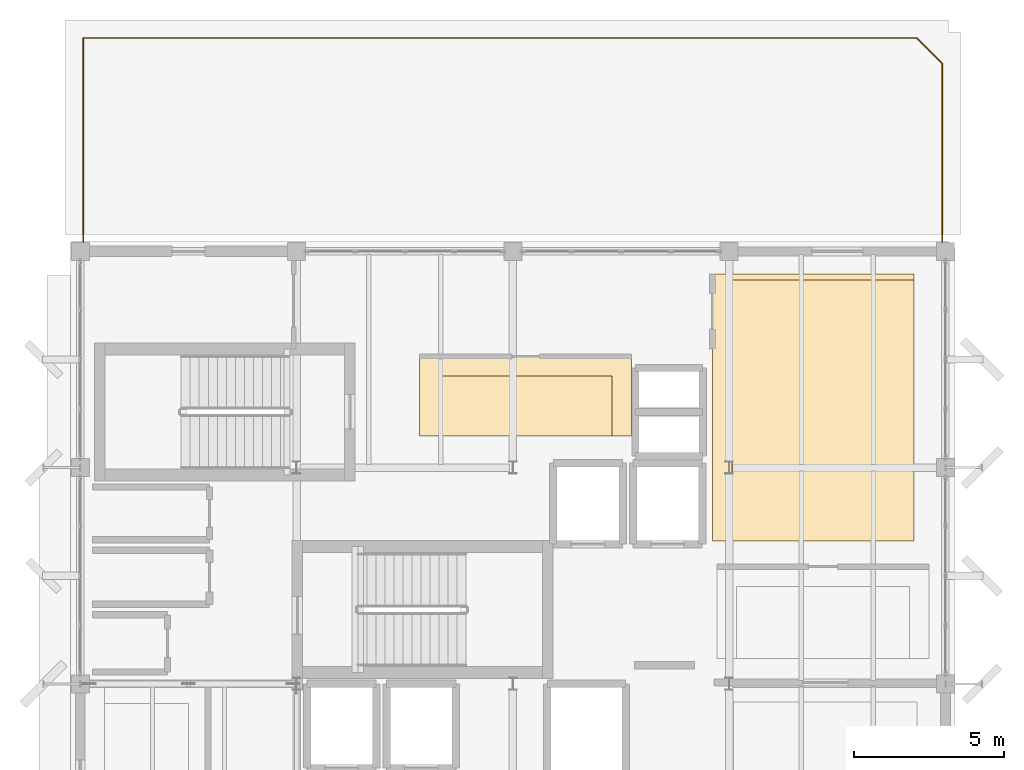
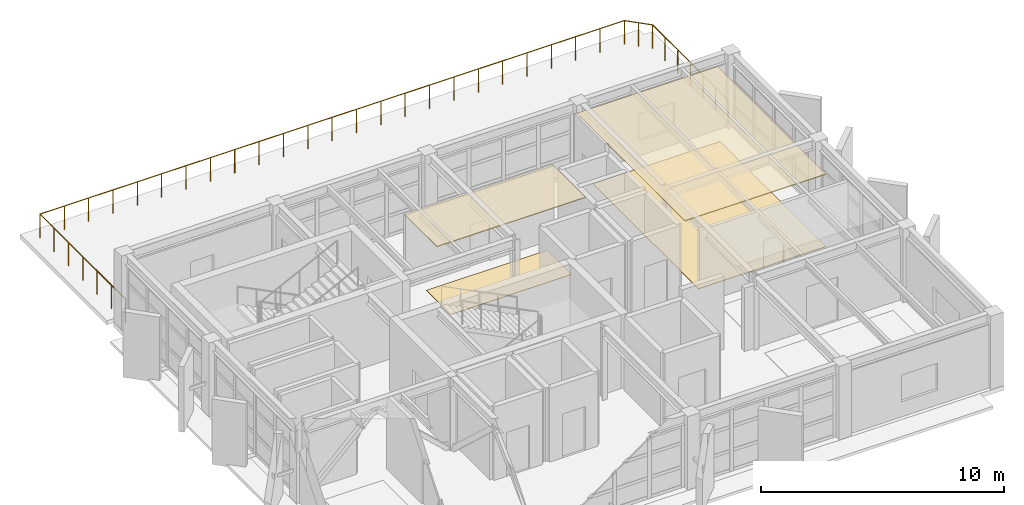
# One storey, part 16 of 16: 4 coverings, 1 railing.
"""IFC4 building model written with IfcOpenShell, lengths in metres."""

from ifc_helpers import new_model, si_unit, direction, frame, origin, origin_2d, place, context, subcontext, project, spatial, polyline, circle, outline, extrude, material, layer, layer_set, type_object, element, save


model = new_model("IFC4")

# Units and contexts
model_context = context("Model", 3, precision=1e-05, world=origin(), true_north=direction((0.0, 1.0)))
body_context = subcontext(model_context, "Body", "Model", "MODEL_VIEW")
ifc_project = project(units=[si_unit("LENGTHUNIT", "METRE"), si_unit("AREAUNIT", "SQUARE_METRE"), si_unit("VOLUMEUNIT", "CUBIC_METRE"), si_unit("PLANEANGLEUNIT", "RADIAN"), si_unit("MASSUNIT", "GRAM", prefix="KILO")], contexts=[model_context])

# Site, building, storey
site_placement = place(None, origin())
site = spatial("IfcSite", under=ifc_project, at=site_placement, CompositionType="ELEMENT")
building_placement = place(site_placement, origin())
building = spatial("IfcBuilding", under=site, at=building_placement, Name="Kandorven Conservatory and Botanical Research Centre", CompositionType="ELEMENT")
storey_placement = place(building_placement, frame((0.0, 0.0, 44.39990234375)))
storey = spatial("IfcBuildingStorey", under=building, at=storey_placement, Name="L11", CompositionType="ELEMENT", Elevation=44.39990234375)

# Coverings
ifc_material_1 = material(Name="Perforated mineral-fibre acoustic ceiling tile", Category="gypsum")
ifc_layer_1 = layer(ifc_material_1, 0.0400390625)
ifc_layer_set_1 = layer_set([ifc_layer_1], Name="Perforated mineral-fibre acoustic ceiling tile")
covering_type_1 = type_object("IfcCoveringType", Name="Cov_Ceiling_1", PredefinedType="CEILING", material=ifc_layer_set_1)
covering_1_placement = place(storey_placement, frame((0.0, 0.0, 3.630126953125)))
element("IfcCovering", 1, at=covering_1_placement, inside=storey, type_object=covering_type_1, Name="Suspended acoustic ceiling CLG-01 (Dryland Flora Research Laboratory L11)", PredefinedType="CEILING", context=body_context, shape_type="SweptSolid", body=[
    extrude(outline(polyline([(17.300048828125, 21.449951171875), (24.35009765625, 21.449951171875), (24.35009765625, 24.10009765625), (17.300048828125, 24.10009765625), (17.300048828125, 21.449951171875)])), origin(), (0.0, 0.0, 1.0), 0.0400390625),
])
covering_2_placement = place(storey_placement, frame((0.0, 0.0, 3.630126953125)))
element("IfcCovering", 2, at=covering_2_placement, inside=storey, type_object=covering_type_1, Name="Suspended acoustic ceiling CLG-01 (Botanical Paper and Specimen Conservation Laboratory L11)", PredefinedType="CEILING", context=body_context, shape_type="SweptSolid", body=[
    extrude(outline(polyline([(27.050048828125, 17.949951171875), (33.75, 17.949951171875), (33.75, 26.85009765625), (27.050048828125, 26.85009765625), (27.050048828125, 17.949951171875)])), origin(), (0.0, 0.0, 1.0), 0.0400390625),
])
ifc_material_2 = material(Name="Honed Kota stone and epoxy laboratory flooring", Category="masonry")
ifc_layer_2 = layer(ifc_material_2, 0.02490234375)
ifc_layer_set_2 = layer_set([ifc_layer_2], Name="Honed Kota stone and epoxy laboratory flooring")
covering_type_2 = type_object("IfcCoveringType", Name="Cov_Flooring_1", PredefinedType="FLOORING", material=ifc_layer_set_2)
covering_3_placement = place(storey_placement, origin())
element("IfcCovering", 3, at=covering_3_placement, inside=storey, type_object=covering_type_2, Name="Floor finish FLR-01 (Dryland Flora Research Laboratory L11)", PredefinedType="FLOORING", context=body_context, shape_type="SweptSolid", body=[
    extrude(outline(polyline([(17.949951171875, 21.449951171875), (23.699951171875, 21.449951171875), (23.699951171875, 23.449951171875), (17.949951171875, 23.449951171875), (17.949951171875, 21.449951171875)])), origin(), (0.0, 0.0, 1.0), 0.025146484375),
])
covering_4_placement = place(storey_placement, origin())
element("IfcCovering", 4, at=covering_4_placement, inside=storey, type_object=covering_type_2, Name="Floor finish FLR-01 (Botanical Paper and Specimen Conservation Laboratory L11)", PredefinedType="FLOORING", context=body_context, shape_type="SweptSolid", body=[
    extrude(outline(polyline([(27.699951171875, 17.949951171875), (33.75, 17.949951171875), (33.75, 26.64990234375), (27.699951171875, 26.64990234375), (27.699951171875, 17.949951171875)])), origin(), (0.0, 0.0, 1.0), 0.025146484375),
])

# Railing
ifc_material_3 = material(Name="Steel S355 (IS 2062 E350)", Category="steel")
railing_type = type_object("IfcRailingType", Name="Guard_Terrace", PredefinedType="BALUSTRADE", material=ifc_material_3)
railing_placement = place(storey_placement, frame((6.10009765625, 27.64990234375, 0.0)))
element("IfcRailing", 5, at=railing_placement, inside=storey, type_object=railing_type, Name="Level L11 upper refuge terrace perimeter balustrade GR-01", PredefinedType="BALUSTRADE", context=body_context, shape_type="SweptSolid", body=[
    extrude(circle(Radius=0.02392578125, at=origin_2d()), frame((0.0, 0.0, 1.17578125), z_axis=(0.0, 1.0, 0.0), x_axis=(-1.0, 0.0, 0.0)), (0.0, 0.0, 1.0), 7.050048828125),
    extrude(circle(Radius=0.02392578125, at=origin_2d()), frame((0.0, 7.050048828125, 1.17578125), z_axis=(1.0, 0.0, 0.0), x_axis=(0.0, 1.0, 0.0)), (0.0, 0.0, 1.0), 27.75),
    extrude(circle(Radius=0.02392578125, at=origin_2d()), frame((27.75, 7.050048828125, 1.17578125), z_axis=(0.707106781187, -0.707106781187, 0.0), x_axis=(0.707106781187, 0.707106781187, 0.0)), (0.0, 0.0, 1.0), 1.201904296875),
    extrude(circle(Radius=0.02392578125, at=origin_2d()), frame((28.599853515625, 6.2001953125, 1.17578125), z_axis=(0.0, -1.0, 0.0), x_axis=(1.0, 0.0, 0.0)), (0.0, 0.0, 1.0), 6.2001953125),
    extrude(circle(Radius=0.02099609375, at=origin_2d()), origin(), (0.0, 0.0, 1.0), 1.15185546875),
    extrude(circle(Radius=0.02099609375, at=origin_2d()), frame((0.0, 1.175048828125, 0.0)), (0.0, 0.0, 1.0), 1.15185546875),
    extrude(circle(Radius=0.02099609375, at=origin_2d()), frame((0.0, 2.35009765625, 0.0)), (0.0, 0.0, 1.0), 1.15185546875),
    extrude(circle(Radius=0.02099609375, at=origin_2d()), frame((0.0, 3.52490234375, 0.0)), (0.0, 0.0, 1.0), 1.15185546875),
    extrude(circle(Radius=0.02099609375, at=origin_2d()), frame((0.0, 4.699951171875, 0.0)), (0.0, 0.0, 1.0), 1.15185546875),
    extrude(circle(Radius=0.02099609375, at=origin_2d()), frame((0.0, 5.875, 0.0)), (0.0, 0.0, 1.0), 1.15185546875),
    extrude(circle(Radius=0.02099609375, at=origin_2d()), frame((0.0, 7.050048828125, 0.0)), (0.0, 0.0, 1.0), 1.15185546875),
    extrude(circle(Radius=0.02099609375, at=origin_2d()), frame((1.15625, 7.050048828125, 0.0)), (0.0, 0.0, 1.0), 1.15185546875),
    extrude(circle(Radius=0.02099609375, at=origin_2d()), frame((2.3125, 7.050048828125, 0.0)), (0.0, 0.0, 1.0), 1.15185546875),
    extrude(circle(Radius=0.02099609375, at=origin_2d()), frame((3.46875, 7.050048828125, 0.0)), (0.0, 0.0, 1.0), 1.15185546875),
    extrude(circle(Radius=0.02099609375, at=origin_2d()), frame((4.625, 7.050048828125, 0.0)), (0.0, 0.0, 1.0), 1.15185546875),
    extrude(circle(Radius=0.02099609375, at=origin_2d()), frame((5.78125, 7.050048828125, 0.0)), (0.0, 0.0, 1.0), 1.15185546875),
    extrude(circle(Radius=0.02099609375, at=origin_2d()), frame((6.9375, 7.050048828125, 0.0)), (0.0, 0.0, 1.0), 1.15185546875),
    extrude(circle(Radius=0.02099609375, at=origin_2d()), frame((8.09375, 7.050048828125, 0.0)), (0.0, 0.0, 1.0), 1.15185546875),
    extrude(circle(Radius=0.02099609375, at=origin_2d()), frame((9.25, 7.050048828125, 0.0)), (0.0, 0.0, 1.0), 1.15185546875),
    extrude(circle(Radius=0.02099609375, at=origin_2d()), frame((10.40625, 7.050048828125, 0.0)), (0.0, 0.0, 1.0), 1.15185546875),
    extrude(circle(Radius=0.02099609375, at=origin_2d()), frame((11.5625, 7.050048828125, 0.0)), (0.0, 0.0, 1.0), 1.15185546875),
    extrude(circle(Radius=0.02099609375, at=origin_2d()), frame((12.71875, 7.050048828125, 0.0)), (0.0, 0.0, 1.0), 1.15185546875),
    extrude(circle(Radius=0.02099609375, at=origin_2d()), frame((13.875, 7.050048828125, 0.0)), (0.0, 0.0, 1.0), 1.15185546875),
    extrude(circle(Radius=0.02099609375, at=origin_2d()), frame((15.03125, 7.050048828125, 0.0)), (0.0, 0.0, 1.0), 1.15185546875),
    extrude(circle(Radius=0.02099609375, at=origin_2d()), frame((16.1875, 7.050048828125, 0.0)), (0.0, 0.0, 1.0), 1.15185546875),
    extrude(circle(Radius=0.02099609375, at=origin_2d()), frame((17.34375, 7.050048828125, 0.0)), (0.0, 0.0, 1.0), 1.15185546875),
    extrude(circle(Radius=0.02099609375, at=origin_2d()), frame((18.5, 7.050048828125, 0.0)), (0.0, 0.0, 1.0), 1.15185546875),
    extrude(circle(Radius=0.02099609375, at=origin_2d()), frame((19.65625, 7.050048828125, 0.0)), (0.0, 0.0, 1.0), 1.15185546875),
    extrude(circle(Radius=0.02099609375, at=origin_2d()), frame((20.8125, 7.050048828125, 0.0)), (0.0, 0.0, 1.0), 1.15185546875),
    extrude(circle(Radius=0.02099609375, at=origin_2d()), frame((21.96875, 7.050048828125, 0.0)), (0.0, 0.0, 1.0), 1.15185546875),
    extrude(circle(Radius=0.02099609375, at=origin_2d()), frame((23.125, 7.050048828125, 0.0)), (0.0, 0.0, 1.0), 1.15185546875),
    extrude(circle(Radius=0.02099609375, at=origin_2d()), frame((24.28125, 7.050048828125, 0.0)), (0.0, 0.0, 1.0), 1.15185546875),
    extrude(circle(Radius=0.02099609375, at=origin_2d()), frame((25.4375, 7.050048828125, 0.0)), (0.0, 0.0, 1.0), 1.15185546875),
    extrude(circle(Radius=0.02099609375, at=origin_2d()), frame((26.59375, 7.050048828125, 0.0)), (0.0, 0.0, 1.0), 1.15185546875),
    extrude(circle(Radius=0.02099609375, at=origin_2d()), frame((27.75, 7.050048828125, 0.0)), (0.0, 0.0, 1.0), 1.15185546875),
    extrude(circle(Radius=0.02099609375, at=origin_2d()), frame((28.1748046875, 6.625, 0.0)), (0.0, 0.0, 1.0), 1.15185546875),
    extrude(circle(Radius=0.02099609375, at=origin_2d()), frame((28.599853515625, 6.2001953125, 0.0)), (0.0, 0.0, 1.0), 1.15185546875),
    extrude(circle(Radius=0.02099609375, at=origin_2d()), frame((28.599853515625, 5.166748046875, 0.0)), (0.0, 0.0, 1.0), 1.15185546875),
    extrude(circle(Radius=0.02099609375, at=origin_2d()), frame((28.599853515625, 4.133544921875, 0.0)), (0.0, 0.0, 1.0), 1.15185546875),
    extrude(circle(Radius=0.02099609375, at=origin_2d()), frame((28.599853515625, 3.10009765625, 0.0)), (0.0, 0.0, 1.0), 1.15185546875),
    extrude(circle(Radius=0.02099609375, at=origin_2d()), frame((28.599853515625, 2.066650390625, 0.0)), (0.0, 0.0, 1.0), 1.15185546875),
    extrude(circle(Radius=0.02099609375, at=origin_2d()), frame((28.599853515625, 1.033447265625, 0.0)), (0.0, 0.0, 1.0), 1.15185546875),
    extrude(circle(Radius=0.02099609375, at=origin_2d()), frame((28.599853515625, 0.0, 0.0)), (0.0, 0.0, 1.0), 1.15185546875),
])

save(model, "model.ifc")
